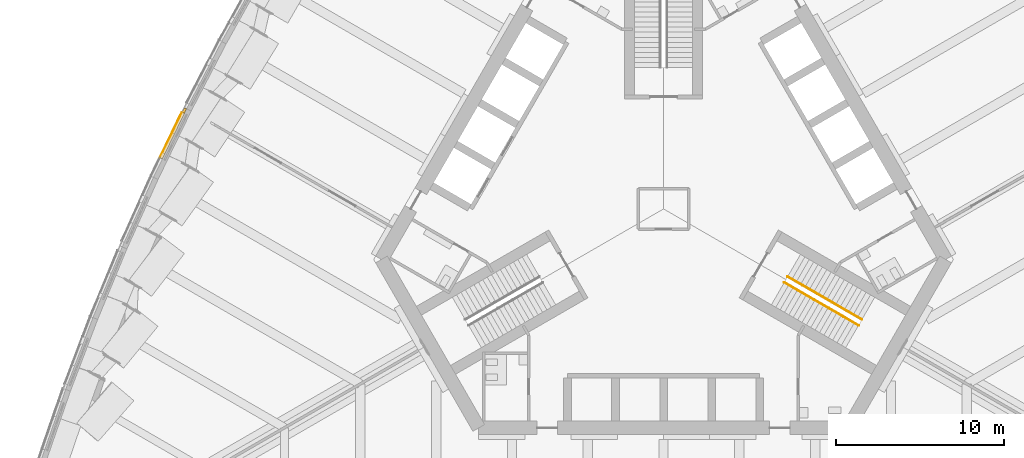
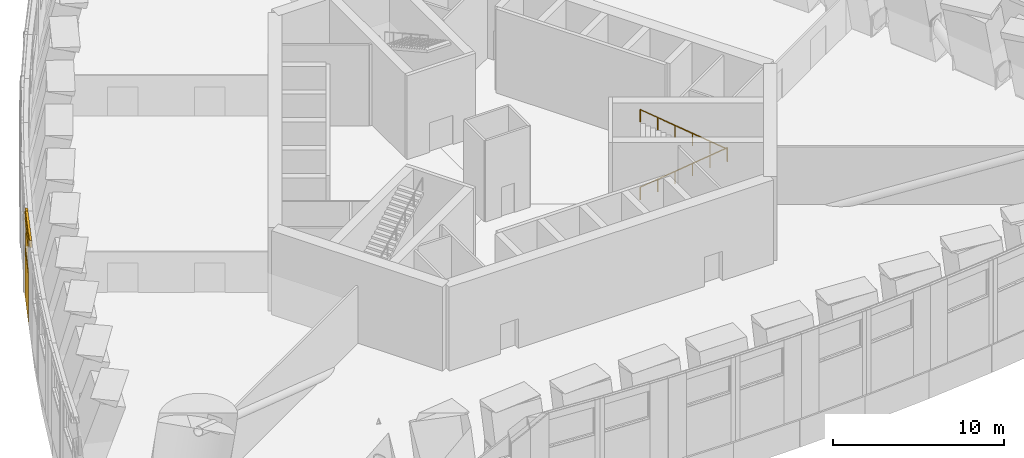
# One storey, part 18 of 28: 4 coverings, 2 railings.
"""IFC4 building model written with IfcOpenShell, lengths in metres."""

from ifc_helpers import new_model, si_unit, direction, frame, origin, origin_2d, place, context, subcontext, project, spatial, rectangle, circle, extrude, material, layer, layer_set, type_object, element, save


model = new_model("IFC4")

# Units and contexts
model_context = context("Model", 3, precision=1e-05, world=origin(), true_north=direction((0.0, 1.0)))
body_context = subcontext(model_context, "Body", "Model", "MODEL_VIEW")
ifc_project = project(units=[si_unit("LENGTHUNIT", "METRE"), si_unit("AREAUNIT", "SQUARE_METRE"), si_unit("VOLUMEUNIT", "CUBIC_METRE"), si_unit("PLANEANGLEUNIT", "RADIAN"), si_unit("MASSUNIT", "GRAM", prefix="KILO")], contexts=[model_context])

# Site, building, storey
site_placement = place(None, origin())
site = spatial("IfcSite", under=ifc_project, at=site_placement, CompositionType="ELEMENT")
building_placement = place(site_placement, origin())
building = spatial("IfcBuilding", under=site, at=building_placement, Name="Trefoil Bronze Tower", CompositionType="ELEMENT")
storey_placement = place(building_placement, frame((0.0, 0.0, 92.10009765625)))
storey = spatial("IfcBuildingStorey", under=building, at=storey_placement, Name="L21", CompositionType="ELEMENT", Elevation=92.10009765625)

# Coverings
ifc_material_1 = material(Name="Bronze-finish aluminium rainscreen panel on aluminium rails", Category="aluminium")
ifc_layer_1 = layer(ifc_material_1, 0.0400390625)
ifc_layer_set_1 = layer_set([ifc_layer_1], Name="Bronze cladding panel 40")
covering_type_1 = type_object("IfcCoveringType", Name="Bronze cladding panel 40", PredefinedType="CLADDING", material=ifc_layer_set_1)
covering_1_placement = place(storey_placement, frame((-29.247314453125, 4.393798828125, 0.0), z_axis=(0.0, 0.0, 1.0), x_axis=(-0.43585534581, -0.900016731805, 0.0)))
element("IfcCovering", 1, at=covering_1_placement, inside=storey, type_object=covering_type_1, Name="Cladding panel L21 Face 3.11 piece 3", PredefinedType="CLADDING", context=body_context, shape_type="SweptSolid", body=[
    extrude(rectangle(XDim=3.0, YDim=0.0400390625, at=origin_2d()), origin(), (0.0, 0.0, 1.0), 3.5),
])
covering_2_placement = place(storey_placement, frame((-29.247314453125, 4.393798828125, 5.5), z_axis=(0.0, 0.0, 1.0), x_axis=(-0.43585534581, -0.900016731805, 0.0)))
element("IfcCovering", 2, at=covering_2_placement, inside=storey, type_object=covering_type_1, Name="Cladding panel L21 Face 3.11 piece 4", PredefinedType="CLADDING", context=body_context, shape_type="SweptSolid", body=[
    extrude(rectangle(XDim=3.0, YDim=0.0400390625, at=origin_2d()), origin(), (0.0, 0.0, 1.0), 0.5),
])

# Railings
ifc_material_2 = material(Name="Steel handrail", Category="steel")
railing_type = type_object("IfcRailingType", Name="Handrail 900", PredefinedType="HANDRAIL", material=ifc_material_2)
railing_1_placement = place(storey_placement, frame((7.365966796875, -4.021728515625, 0.16650390625)))
element("IfcRailing", 3, at=railing_1_placement, inside=storey, type_object=railing_type, Name="Handrail ST1 flight 1 L21", PredefinedType="HANDRAIL", context=body_context, shape_type="SweptSolid", body=[
    extrude(circle(Radius=0.02392578125, at=origin_2d()), frame((0.0, 0.0, 0.8759765625), z_axis=(0.757030734863, -0.437078438209, 0.485661307215), x_axis=(0.500005610874, 0.86602216432, 0.0)), (0.0, 0.0, 1.0), 5.834228515625),
    extrude(circle(Radius=0.02099609375, at=origin_2d()), origin(), (0.0, 0.0, 1.0), 0.851806640625),
    extrude(circle(Radius=0.02099609375, at=origin_2d()), frame((0.88330078125, -0.510009765625, 0.566650390625)), (0.0, 0.0, 1.0), 0.851806640625),
    extrude(circle(Radius=0.02099609375, at=origin_2d()), frame((1.7666015625, -1.02001953125, 1.13330078125)), (0.0, 0.0, 1.0), 0.851806640625),
    extrude(circle(Radius=0.02099609375, at=origin_2d()), frame((2.650146484375, -1.530029296875, 1.7001953125)), (0.0, 0.0, 1.0), 0.851806640625),
    extrude(circle(Radius=0.02099609375, at=origin_2d()), frame((3.533447265625, -2.0400390625, 2.266845703125)), (0.0, 0.0, 1.0), 0.851806640625),
    extrude(circle(Radius=0.02099609375, at=origin_2d()), frame((4.416748046875, -2.550048828125, 2.83349609375)), (0.0, 0.0, 1.0), 0.851806640625),
])
railing_2_placement = place(storey_placement, frame((11.582763671875, -6.918212890625, 3.16650390625)))
element("IfcRailing", 4, at=railing_2_placement, inside=storey, type_object=railing_type, Name="Handrail ST1 flight 2 L21", PredefinedType="HANDRAIL", context=body_context, shape_type="SweptSolid", body=[
    extrude(circle(Radius=0.02392578125, at=origin_2d()), frame((0.0, 0.0, 0.8759765625), z_axis=(-0.757030734863, 0.437078438209, 0.485661307215), x_axis=(-0.500005610874, -0.86602216432, 0.0)), (0.0, 0.0, 1.0), 5.834228515625),
    extrude(circle(Radius=0.02099609375, at=origin_2d()), origin(), (0.0, 0.0, 1.0), 0.851806640625),
    extrude(circle(Radius=0.02099609375, at=origin_2d()), frame((-0.88330078125, 0.510009765625, 0.566650390625)), (0.0, 0.0, 1.0), 0.851806640625),
    extrude(circle(Radius=0.02099609375, at=origin_2d()), frame((-1.7666015625, 1.02001953125, 1.13330078125)), (0.0, 0.0, 1.0), 0.851806640625),
    extrude(circle(Radius=0.02099609375, at=origin_2d()), frame((-2.650146484375, 1.530029296875, 1.7001953125)), (0.0, 0.0, 1.0), 0.851806640625),
    extrude(circle(Radius=0.02099609375, at=origin_2d()), frame((-3.533447265625, 2.0400390625, 2.266845703125)), (0.0, 0.0, 1.0), 0.851806640625),
    extrude(circle(Radius=0.02099609375, at=origin_2d()), frame((-4.416748046875, 2.550048828125, 2.83349609375)), (0.0, 0.0, 1.0), 0.851806640625),
])

# Coverings
ifc_material_3 = material(Name="Non-combustible mineral wool slab", Category="insulation")
ifc_layer_2 = layer(ifc_material_3, 0.14990234375)
ifc_layer_set_2 = layer_set([ifc_layer_2], Name="Rainscreen insulation 150")
covering_type_2 = type_object("IfcCoveringType", Name="Rainscreen insulation 150", PredefinedType="INSULATION", material=ifc_layer_set_2)
covering_3_placement = place(storey_placement, frame((-28.442626953125, 5.83740234375, 0.10498046875), z_axis=(0.0, 0.0, 1.0), x_axis=(-0.43585534581, -0.900016731805, 0.0)))
element("IfcCovering", 5, at=covering_3_placement, inside=storey, type_object=covering_type_2, Name="Insulation L21 Face 3.11 piece 1", PredefinedType="INSULATION", context=body_context, shape_type="SweptSolid", body=[
    extrude(rectangle(XDim=0.300048828125, YDim=0.14990234375, at=origin_2d()), origin(), (0.0, 0.0, 1.0), 5.89501953125),
])
covering_4_placement = place(storey_placement, frame((-29.161865234375, 4.3525390625, 5.5), z_axis=(0.0, 0.0, 1.0), x_axis=(-0.43585534581, -0.900016731805, 0.0)))
element("IfcCovering", 6, at=covering_4_placement, inside=storey, type_object=covering_type_2, Name="Insulation L21 Face 3.11 piece 4", PredefinedType="INSULATION", context=body_context, shape_type="SweptSolid", body=[
    extrude(rectangle(XDim=3.0, YDim=0.14990234375, at=origin_2d()), origin(), (0.0, 0.0, 1.0), 0.5),
])

save(model, "model.ifc")
